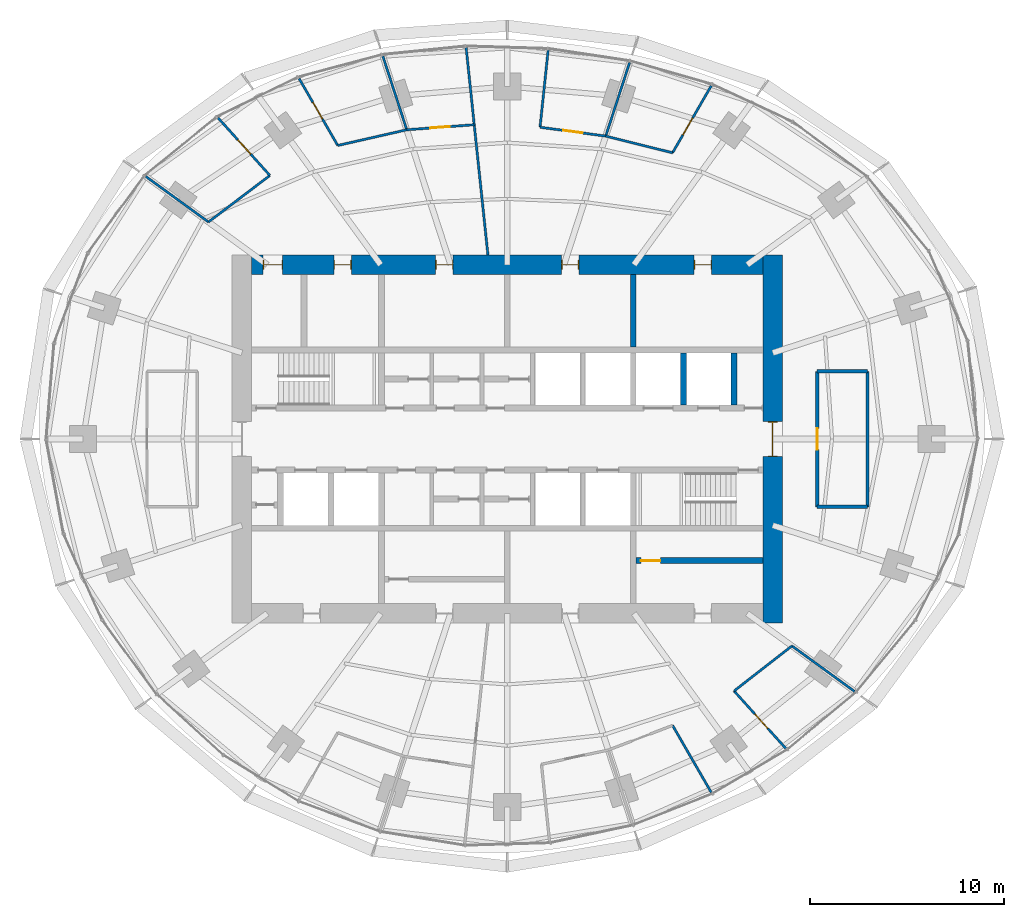
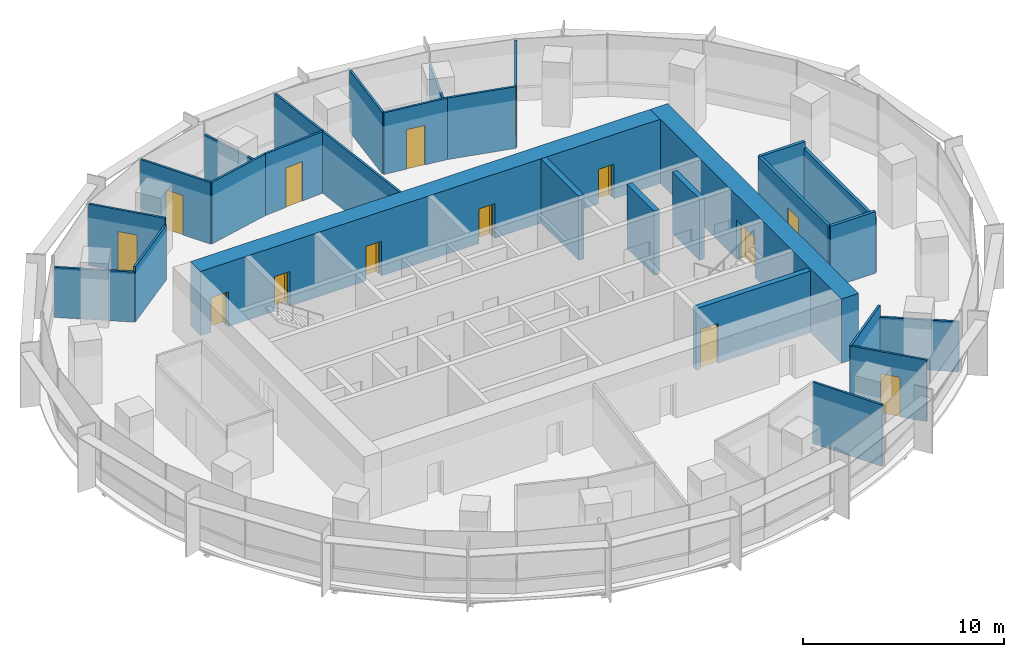
# One storey, part 12 of 15: 27 walls, 14 doors, 14 openings.
"""IFC4 building model written with IfcOpenShell, lengths in metres."""

from ifc_helpers import new_model, si_unit, direction, frame, frame_2d, origin, place, context, subcontext, project, spatial, rectangle, extrude, material, layer, layer_set, type_object, element, fill, save


model = new_model("IFC4")

# Units and contexts
model_context = context("Model", 3, precision=1e-05, world=origin(), true_north=direction((0.0, 1.0)))
body_context = subcontext(model_context, "Body", "Model", "MODEL_VIEW")
ifc_project = project(units=[si_unit("LENGTHUNIT", "METRE"), si_unit("AREAUNIT", "SQUARE_METRE"), si_unit("VOLUMEUNIT", "CUBIC_METRE"), si_unit("PLANEANGLEUNIT", "RADIAN"), si_unit("MASSUNIT", "GRAM", prefix="KILO")], contexts=[model_context])

# Site, building, storey
site_placement = place(None, origin())
site = spatial("IfcSite", under=ifc_project, at=site_placement, CompositionType="ELEMENT")
building_placement = place(site_placement, origin())
building = spatial("IfcBuilding", under=site, at=building_placement, Name="Marramba Exchange Tower", CompositionType="ELEMENT")
storey_placement = place(building_placement, frame((0.0, 0.0, 187.699951171875)))
storey = spatial("IfcBuildingStorey", under=building, at=storey_placement, Name="L45", CompositionType="ELEMENT", Elevation=187.699951171875)

# Wall
ifc_material_1 = material(Name="Plasterboard on staggered double steel studs, acoustic insulation", Category="steel")
ifc_layer_1 = layer(ifc_material_1, 0.169921875)
ifc_layer_set_1 = layer_set([ifc_layer_1], Name="Acoustic partition 170")
wall_type_1 = type_object("IfcWallType", Name="Acoustic partition 170", PredefinedType="PARTITIONING", material=ifc_layer_set_1)
wall_1_placement = place(storey_placement, frame((18.60009765625, -3.5, 0.0), z_axis=(0.0, 0.0, 1.0), x_axis=(-1.0, 0.0, 0.0)))
element("IfcWall", 1, at=wall_1_placement, inside=storey, type_object=wall_type_1, Name="Acoustic partition L45 15", PredefinedType="PARTITIONING", context=body_context, shape_type="SweptSolid", body=[
    extrude(rectangle(XDim=2.60009765625, YDim=0.169921875, at=frame_2d((1.300048828125, 0.0))), origin(), (0.0, 0.0, 1.0), 3.739990234375),
])

# Wall, opening, door
wall_2_placement = place(storey_placement, frame((16.0, -3.5, 0.0), z_axis=(0.0, 0.0, 1.0), x_axis=(0.0, 1.0, 0.0)))
wall_2 = element("IfcWall", 2, at=wall_2_placement, inside=storey, type_object=wall_type_1, Name="Acoustic partition L45 16", PredefinedType="PARTITIONING", context=body_context, shape_type="SweptSolid", body=[
    extrude(rectangle(XDim=7.0, YDim=0.169921875, at=frame_2d((3.5, 0.0))), origin(), (0.0, 0.0, 1.0), 3.739990234375),
])
opening_1_placement = place(wall_2_placement, frame((2.949951171875, 0.0, 0.0)))
opening_1 = element("IfcOpeningElement", 3, at=opening_1_placement, cuts=wall_2, Name="Opening D15", PredefinedType="OPENING", context=body_context, shape_type="SweptSolid", body=[
    extrude(rectangle(XDim=1.10009765625, YDim=2.39990234375, at=frame_2d((0.550048828125, 1.199951171875))), frame((0.0, 0.094970703125, 0.0), z_axis=(0.0, -1.0, 0.0), x_axis=(1.0, 0.0, 0.0)), (0.0, 0.0, 1.0), 0.18994140625),
])
ifc_material_2 = material(Name="Timber door", Category="wood")
door_type_1 = type_object("IfcDoorType", Name="Glazed meeting room door 1100x2400", OperationType="SINGLE_SWING_LEFT", PredefinedType="DOOR", material=ifc_material_2)
door_1_placement = place(opening_1_placement, frame((1.10009765625, 0.0, 0.0), z_axis=(0.0, 0.0, 1.0), x_axis=(-1.0, 0.0, 0.0)))
door_1 = element("IfcDoor", 4, at=door_1_placement, inside=storey, type_object=door_type_1, Name="D15 Meeting Room L45", OperationType="SINGLE_SWING_RIGHT", OverallHeight=2.39990234375, OverallWidth=1.10009765625, PredefinedType="DOOR", context=body_context, shape_type="SweptSolid", body=[
    extrude(rectangle(XDim=1.10009765625, YDim=2.39990234375, at=frame_2d((0.550048828125, 1.199951171875))), frame((0.0, 0.025146484375, 0.0), z_axis=(0.0, -1.0, 0.0), x_axis=(1.0, 0.0, 0.0)), (0.0, 0.0, 1.0), 0.050048828125),
])
fill(opening_1, door_1)

# Walls
wall_3_placement = place(storey_placement, frame((18.60009765625, 3.5, 0.0), z_axis=(0.0, 0.0, 1.0), x_axis=(0.0, -1.0, 0.0)))
element("IfcWall", 5, at=wall_3_placement, inside=storey, type_object=wall_type_1, Name="Acoustic partition L45 17", PredefinedType="PARTITIONING", context=body_context, shape_type="SweptSolid", body=[
    extrude(rectangle(XDim=7.0, YDim=0.169921875, at=frame_2d((3.5, 0.0))), origin(), (0.0, 0.0, 1.0), 3.333984375),
])
wall_4_placement = place(storey_placement, frame((16.0, 3.5, 0.0), z_axis=(0.0, 0.0, 1.0), x_axis=(1.0, 0.0, 0.0)))
element("IfcWall", 6, at=wall_4_placement, inside=storey, type_object=wall_type_1, Name="Acoustic partition L45 18", PredefinedType="PARTITIONING", context=body_context, shape_type="SweptSolid", body=[
    extrude(rectangle(XDim=2.60009765625, YDim=0.169921875, at=frame_2d((1.300048828125, 0.0))), origin(), (0.0, 0.0, 1.0), 3.739990234375),
])

# Wall, openings, doors
ifc_material_3 = material(Name="Concrete N50", Category="concrete")
ifc_layer_2 = layer(ifc_material_3, 1.0)
ifc_layer_set_2 = layer_set([ifc_layer_2], Name="Core wall 1000")
wall_type_2 = type_object("IfcWallType", Name="Core wall 1000", PredefinedType="SHEAR", material=ifc_layer_set_2)
wall_5_placement = place(storey_placement, frame((13.199951171875, 9.0, 0.0), z_axis=(0.0, 0.0, 1.0), x_axis=(-1.0, 0.0, 0.0)))
wall_5 = element("IfcWall", 7, at=wall_5_placement, inside=storey, type_object=wall_type_2, Name="Core wall N L45", PredefinedType="SHEAR", context=body_context, shape_type="SweptSolid", body=[
    extrude(rectangle(XDim=26.39990234375, YDim=1.0, at=frame_2d((13.199951171875, 0.0))), origin(), (0.0, 0.0, 1.0), 3.900146484375),
])
opening_2_placement = place(wall_5_placement, frame((2.64990234375, 0.0, 0.0)))
opening_2 = element("IfcOpeningElement", 8, at=opening_2_placement, cuts=wall_5, Name="Opening D5", PredefinedType="OPENING", context=body_context, shape_type="SweptSolid", body=[
    extrude(rectangle(XDim=0.89990234375, YDim=2.10009765625, at=frame_2d((0.449951171875, 1.050048828125))), frame((0.0, 0.510009765625, 0.0), z_axis=(0.0, -1.0, 0.0), x_axis=(1.0, 0.0, 0.0)), (0.0, 0.0, 1.0), 1.02001953125),
])
opening_3_placement = place(wall_5_placement, frame((9.5, 0.0, 0.0)))
opening_3 = element("IfcOpeningElement", 9, at=opening_3_placement, cuts=wall_5, Name="Opening D3", PredefinedType="OPENING", context=body_context, shape_type="SweptSolid", body=[
    extrude(rectangle(XDim=0.89990234375, YDim=2.10009765625, at=frame_2d((0.449951171875, 1.050048828125))), frame((0.0, 0.510009765625, 0.0), z_axis=(0.0, -1.0, 0.0), x_axis=(1.0, 0.0, 0.0)), (0.0, 0.0, 1.0), 1.02001953125),
])
opening_4_placement = place(wall_5_placement, frame((16.0, 0.0, 0.0)))
opening_4 = element("IfcOpeningElement", 10, at=opening_4_placement, cuts=wall_5, Name="Opening D3", PredefinedType="OPENING", context=body_context, shape_type="SweptSolid", body=[
    extrude(rectangle(XDim=0.89990234375, YDim=2.10009765625, at=frame_2d((0.449951171875, 1.050048828125))), frame((0.0, 0.510009765625, 0.0), z_axis=(0.0, -1.0, 0.0), x_axis=(1.0, 0.0, 0.0)), (0.0, 0.0, 1.0), 1.02001953125),
])
opening_5_placement = place(wall_5_placement, frame((21.25, 0.0, 0.0)))
opening_5 = element("IfcOpeningElement", 11, at=opening_5_placement, cuts=wall_5, Name="Opening D5", PredefinedType="OPENING", context=body_context, shape_type="SweptSolid", body=[
    extrude(rectangle(XDim=0.89990234375, YDim=2.10009765625, at=frame_2d((0.449951171875, 1.050048828125))), frame((0.0, 0.510009765625, 0.0), z_axis=(0.0, -1.0, 0.0), x_axis=(1.0, 0.0, 0.0)), (0.0, 0.0, 1.0), 1.02001953125),
])
opening_6_placement = place(wall_5_placement, frame((24.800048828125, 0.0, 0.0)))
opening_6 = element("IfcOpeningElement", 12, at=opening_6_placement, cuts=wall_5, Name="Opening D4", PredefinedType="OPENING", context=body_context, shape_type="SweptSolid", body=[
    extrude(rectangle(XDim=1.0, YDim=2.10009765625, at=frame_2d((0.5, 1.050048828125))), frame((0.0, 0.510009765625, 0.0), z_axis=(0.0, -1.0, 0.0), x_axis=(1.0, 0.0, 0.0)), (0.0, 0.0, 1.0), 1.02001953125),
])
ifc_material_4 = material(Name="Steel-framed door", Category="steel")
door_type_2 = type_object("IfcDoorType", Name="Accessible toilet door 1000x2100", OperationType="SINGLE_SWING_LEFT", PredefinedType="DOOR", material=ifc_material_4)
door_2_placement = place(opening_6_placement, origin())
door_2 = element("IfcDoor", 13, at=door_2_placement, inside=storey, type_object=door_type_2, Name="D4 awc L45", OperationType="SINGLE_SWING_RIGHT", OverallHeight=2.10009765625, OverallWidth=1.0, PredefinedType="DOOR", context=body_context, shape_type="SweptSolid", body=[
    extrude(rectangle(XDim=0.919921875, YDim=2.06005859375, at=frame_2d((0.5, 1.030029296875))), frame((0.0, 0.02490234375, 0.0), z_axis=(0.0, -1.0, 0.0), x_axis=(1.0, 0.0, 0.0)), (0.0, 0.0, 1.0), 0.050048828125),
    extrude(rectangle(XDim=0.04, YDim=2.10009765625, at=frame_2d((0.02001953125, 1.050048828125))), frame((0.0, 0.25, 0.0), z_axis=(0.0, -1.0, 0.0), x_axis=(1.0, 0.0, 0.0)), (0.0, 0.0, 1.0), 0.5),
    extrude(rectangle(XDim=0.04, YDim=2.10009765625, at=frame_2d((0.97998046875, 1.050048828125))), frame((0.0, 0.25, 0.0), z_axis=(0.0, -1.0, 0.0), x_axis=(1.0, 0.0, 0.0)), (0.0, 0.0, 1.0), 0.5),
    extrude(rectangle(XDim=0.919921875, YDim=0.04, at=frame_2d((0.5, 2.080078125))), frame((0.0, 0.25, 0.0), z_axis=(0.0, -1.0, 0.0), x_axis=(1.0, 0.0, 0.0)), (0.0, 0.0, 1.0), 0.5),
])
fill(opening_6, door_2)
door_type_3 = type_object("IfcDoorType", Name="Service door 900x2100", OperationType="SINGLE_SWING_LEFT", PredefinedType="DOOR", material=ifc_material_4)
door_3_placement = place(opening_2_placement, origin())
door_3 = element("IfcDoor", 14, at=door_3_placement, inside=storey, type_object=door_type_3, Name="D5 comms L45", OperationType="SINGLE_SWING_LEFT", OverallHeight=2.10009765625, OverallWidth=0.89990234375, PredefinedType="DOOR", context=body_context, shape_type="SweptSolid", body=[
    extrude(rectangle(XDim=0.81982421875, YDim=2.06005859375, at=frame_2d((0.449951171875, 1.030029296875))), frame((0.0, 0.02490234375, 0.0), z_axis=(0.0, -1.0, 0.0), x_axis=(1.0, 0.0, 0.0)), (0.0, 0.0, 1.0), 0.050048828125),
    extrude(rectangle(XDim=0.04, YDim=2.10009765625, at=frame_2d((0.02001953125, 1.050048828125))), frame((0.0, 0.25, 0.0), z_axis=(0.0, -1.0, 0.0), x_axis=(1.0, 0.0, 0.0)), (0.0, 0.0, 1.0), 0.5),
    extrude(rectangle(XDim=0.04, YDim=2.10009765625, at=frame_2d((0.8798828125, 1.050048828125))), frame((0.0, 0.25, 0.0), z_axis=(0.0, -1.0, 0.0), x_axis=(1.0, 0.0, 0.0)), (0.0, 0.0, 1.0), 0.5),
    extrude(rectangle(XDim=0.81982421875, YDim=0.04, at=frame_2d((0.449951171875, 2.080078125))), frame((0.0, 0.25, 0.0), z_axis=(0.0, -1.0, 0.0), x_axis=(1.0, 0.0, 0.0)), (0.0, 0.0, 1.0), 0.5),
])
fill(opening_2, door_3)
door_4_placement = place(opening_5_placement, origin())
door_4 = element("IfcDoor", 15, at=door_4_placement, inside=storey, type_object=door_type_3, Name="D5 cleaner L45", OperationType="SINGLE_SWING_RIGHT", OverallHeight=2.10009765625, OverallWidth=0.89990234375, PredefinedType="DOOR", context=body_context, shape_type="SweptSolid", body=[
    extrude(rectangle(XDim=0.81982421875, YDim=2.06005859375, at=frame_2d((0.449951171875, 1.030029296875))), frame((0.0, 0.02490234375, 0.0), z_axis=(0.0, -1.0, 0.0), x_axis=(1.0, 0.0, 0.0)), (0.0, 0.0, 1.0), 0.050048828125),
    extrude(rectangle(XDim=0.04, YDim=2.10009765625, at=frame_2d((0.02001953125, 1.050048828125))), frame((0.0, 0.25, 0.0), z_axis=(0.0, -1.0, 0.0), x_axis=(1.0, 0.0, 0.0)), (0.0, 0.0, 1.0), 0.5),
    extrude(rectangle(XDim=0.04, YDim=2.10009765625, at=frame_2d((0.8798828125, 1.050048828125))), frame((0.0, 0.25, 0.0), z_axis=(0.0, -1.0, 0.0), x_axis=(1.0, 0.0, 0.0)), (0.0, 0.0, 1.0), 0.5),
    extrude(rectangle(XDim=0.81982421875, YDim=0.04, at=frame_2d((0.449951171875, 2.080078125))), frame((0.0, 0.25, 0.0), z_axis=(0.0, -1.0, 0.0), x_axis=(1.0, 0.0, 0.0)), (0.0, 0.0, 1.0), 0.5),
])
fill(opening_5, door_4)
door_type_4 = type_object("IfcDoorType", Name="Toilet door 900x2100", OperationType="SINGLE_SWING_LEFT", PredefinedType="DOOR", material=ifc_material_4)
door_5_placement = place(opening_3_placement, origin())
door_5 = element("IfcDoor", 16, at=door_5_placement, inside=storey, type_object=door_type_4, Name="D3 wc-f L45", OperationType="SINGLE_SWING_RIGHT", OverallHeight=2.10009765625, OverallWidth=0.89990234375, PredefinedType="DOOR", context=body_context, shape_type="SweptSolid", body=[
    extrude(rectangle(XDim=0.81982421875, YDim=2.06005859375, at=frame_2d((0.449951171875, 1.030029296875))), frame((0.0, 0.02490234375, 0.0), z_axis=(0.0, -1.0, 0.0), x_axis=(1.0, 0.0, 0.0)), (0.0, 0.0, 1.0), 0.050048828125),
    extrude(rectangle(XDim=0.04, YDim=2.10009765625, at=frame_2d((0.02001953125, 1.050048828125))), frame((0.0, 0.25, 0.0), z_axis=(0.0, -1.0, 0.0), x_axis=(1.0, 0.0, 0.0)), (0.0, 0.0, 1.0), 0.5),
    extrude(rectangle(XDim=0.04, YDim=2.10009765625, at=frame_2d((0.8798828125, 1.050048828125))), frame((0.0, 0.25, 0.0), z_axis=(0.0, -1.0, 0.0), x_axis=(1.0, 0.0, 0.0)), (0.0, 0.0, 1.0), 0.5),
    extrude(rectangle(XDim=0.81982421875, YDim=0.04, at=frame_2d((0.449951171875, 2.080078125))), frame((0.0, 0.25, 0.0), z_axis=(0.0, -1.0, 0.0), x_axis=(1.0, 0.0, 0.0)), (0.0, 0.0, 1.0), 0.5),
])
fill(opening_3, door_5)
door_6_placement = place(opening_4_placement, origin())
door_6 = element("IfcDoor", 17, at=door_6_placement, inside=storey, type_object=door_type_4, Name="D3 wc-m L45", OperationType="SINGLE_SWING_RIGHT", OverallHeight=2.10009765625, OverallWidth=0.89990234375, PredefinedType="DOOR", context=body_context, shape_type="SweptSolid", body=[
    extrude(rectangle(XDim=0.81982421875, YDim=2.06005859375, at=frame_2d((0.449951171875, 1.030029296875))), frame((0.0, 0.02490234375, 0.0), z_axis=(0.0, -1.0, 0.0), x_axis=(1.0, 0.0, 0.0)), (0.0, 0.0, 1.0), 0.050048828125),
    extrude(rectangle(XDim=0.04, YDim=2.10009765625, at=frame_2d((0.02001953125, 1.050048828125))), frame((0.0, 0.25, 0.0), z_axis=(0.0, -1.0, 0.0), x_axis=(1.0, 0.0, 0.0)), (0.0, 0.0, 1.0), 0.5),
    extrude(rectangle(XDim=0.04, YDim=2.10009765625, at=frame_2d((0.8798828125, 1.050048828125))), frame((0.0, 0.25, 0.0), z_axis=(0.0, -1.0, 0.0), x_axis=(1.0, 0.0, 0.0)), (0.0, 0.0, 1.0), 0.5),
    extrude(rectangle(XDim=0.81982421875, YDim=0.04, at=frame_2d((0.449951171875, 2.080078125))), frame((0.0, 0.25, 0.0), z_axis=(0.0, -1.0, 0.0), x_axis=(1.0, 0.0, 0.0)), (0.0, 0.0, 1.0), 0.5),
])
fill(opening_4, door_6)

# Wall, opening, door
wall_6_placement = place(storey_placement, frame((13.699951171875, -9.5, 0.0), z_axis=(0.0, 0.0, 1.0), x_axis=(0.0, 1.0, 0.0)))
wall_6 = element("IfcWall", 18, at=wall_6_placement, inside=storey, type_object=wall_type_2, Name="Core wall E L45", PredefinedType="SHEAR", context=body_context, shape_type="SweptSolid", body=[
    extrude(rectangle(XDim=19.0, YDim=1.0, at=frame_2d((9.5, 0.0))), origin(), (0.0, 0.0, 1.0), 3.900146484375),
])
opening_7_placement = place(wall_6_placement, frame((8.60009765625, 0.0, 0.0)))
opening_7 = element("IfcOpeningElement", 19, at=opening_7_placement, cuts=wall_6, Name="Opening D1", PredefinedType="OPENING", context=body_context, shape_type="SweptSolid", body=[
    extrude(rectangle(XDim=1.800048828125, YDim=2.39990234375, at=frame_2d((0.89990234375, 1.199951171875))), frame((0.0, 0.510009765625, 0.0), z_axis=(0.0, -1.0, 0.0), x_axis=(1.0, 0.0, 0.0)), (0.0, 0.0, 1.0), 1.02001953125),
])
door_type_5 = type_object("IfcDoorType", Name="Lobby exit door 1800x2400", OperationType="DOUBLE_DOOR_SINGLE_SWING", PredefinedType="DOOR", material=ifc_material_4)
door_7_placement = place(opening_7_placement, origin())
door_7 = element("IfcDoor", 20, at=door_7_placement, inside=storey, type_object=door_type_5, Name="D1 lobby exit east L45", OperationType="DOUBLE_DOOR_SINGLE_SWING", OverallHeight=2.39990234375, OverallWidth=1.800048828125, PredefinedType="DOOR", context=body_context, shape_type="SweptSolid", body=[
    extrude(rectangle(XDim=1.719970703125, YDim=2.35986328125, at=frame_2d((0.89990234375, 1.179931640625))), frame((0.0, 0.02490234375, 0.0), z_axis=(0.0, -1.0, 0.0), x_axis=(1.0, 0.0, 0.0)), (0.0, 0.0, 1.0), 0.050048828125),
    extrude(rectangle(XDim=0.04, YDim=2.39990234375, at=frame_2d((0.02001953125, 1.199951171875))), frame((0.0, 0.25, 0.0), z_axis=(0.0, -1.0, 0.0), x_axis=(1.0, 0.0, 0.0)), (0.0, 0.0, 1.0), 0.5),
    extrude(rectangle(XDim=0.04, YDim=2.39990234375, at=frame_2d((1.780029296875, 1.199951171875))), frame((0.0, 0.25, 0.0), z_axis=(0.0, -1.0, 0.0), x_axis=(1.0, 0.0, 0.0)), (0.0, 0.0, 1.0), 0.5),
    extrude(rectangle(XDim=1.719970703125, YDim=0.04, at=frame_2d((0.89990234375, 2.3798828125))), frame((0.0, 0.25, 0.0), z_axis=(0.0, -1.0, 0.0), x_axis=(1.0, 0.0, 0.0)), (0.0, 0.0, 1.0), 0.5),
])
fill(opening_7, door_7)

# Walls
ifc_layer_3 = layer(ifc_material_3, 0.300048828125)
ifc_layer_set_3 = layer_set([ifc_layer_3], Name="Core wall 300")
wall_type_3 = type_object("IfcWallType", Name="Core wall 300", PredefinedType="SHEAR", material=ifc_layer_set_3)
wall_7_placement = place(storey_placement, frame((6.5, 4.75, 0.0), z_axis=(0.0, 0.0, 1.0), x_axis=(0.0, 1.0, 0.0)))
element("IfcWall", 21, at=wall_7_placement, inside=storey, type_object=wall_type_3, Name="Core wall X1Nb L45", PredefinedType="SHEAR", context=body_context, shape_type="SweptSolid", body=[
    extrude(rectangle(XDim=3.75, YDim=0.300048828125, at=frame_2d((1.875, 0.0))), origin(), (0.0, 0.0, 1.0), 3.900146484375),
])
wall_8_placement = place(storey_placement, frame((9.10009765625, 1.75, 0.0), z_axis=(0.0, 0.0, 1.0), x_axis=(0.0, 1.0, 0.0)))
element("IfcWall", 22, at=wall_8_placement, inside=storey, type_object=wall_type_3, Name="Core wall ED L45", PredefinedType="SHEAR", context=body_context, shape_type="SweptSolid", body=[
    extrude(rectangle(XDim=2.699951171875, YDim=0.300048828125, at=frame_2d((1.35009765625, 0.0))), origin(), (0.0, 0.0, 1.0), 3.900146484375),
])
ifc_material_5 = material(Name="Core-filled concrete blockwork", Category="masonry")
ifc_layer_4 = layer(ifc_material_5, 0.300048828125)
ifc_layer_set_4 = layer_set([ifc_layer_4], Name="Lift shaft wall 300")
wall_type_4 = type_object("IfcWallType", Name="Lift shaft wall 300", PredefinedType="SOLIDWALL", material=ifc_layer_set_4)
wall_9_placement = place(storey_placement, frame((11.699951171875, 1.75, 0.0), z_axis=(0.0, 0.0, 1.0), x_axis=(0.0, 1.0, 0.0)))
element("IfcWall", 23, at=wall_9_placement, inside=storey, type_object=wall_type_4, Name="Lift shaft wall E1 L45", PredefinedType="SOLIDWALL", context=body_context, shape_type="SweptSolid", body=[
    extrude(rectangle(XDim=2.699951171875, YDim=0.300048828125, at=frame_2d((1.35009765625, 0.0))), origin(), (0.0, 0.0, 1.0), 3.739990234375),
])
ifc_material_6 = material(Name="Plasterboard on steel studs", Category="steel")
ifc_layer_5 = layer(ifc_material_6, 0.1201171875)
ifc_layer_set_5 = layer_set([ifc_layer_5], Name="Partition 120")
wall_type_5 = type_object("IfcWallType", Name="Partition 120", PredefinedType="PARTITIONING", material=ifc_layer_set_5)
wall_10_placement = place(storey_placement, frame((10.5341796875, -18.245849609375, 0.0), z_axis=(0.0, 0.0, 1.0), x_axis=(-0.49999894854, 0.866026010844, 0.0)))
element("IfcWall", 24, at=wall_10_placement, inside=storey, type_object=wall_type_5, Name="Partition L45 11", PredefinedType="PARTITIONING", context=body_context, shape_type="SweptSolid", body=[
    extrude(rectangle(XDim=4.0, YDim=0.1201171875, at=frame_2d((2.0, 0.0))), origin(), (0.0, 0.0, 1.0), 3.739990234375),
])

# Wall, opening, door
wall_11_placement = place(storey_placement, frame((11.708740234375, -13.00390625, 0.0), z_axis=(0.0, 0.0, 1.0), x_axis=(0.669150182773, -0.743127198328, 0.0)))
wall_11 = element("IfcWall", 25, at=wall_11_placement, inside=storey, type_object=wall_type_5, Name="Partition L45 12", PredefinedType="PARTITIONING", context=body_context, shape_type="SweptSolid", body=[
    extrude(rectangle(XDim=3.999755859375, YDim=0.1201171875, at=frame_2d((2.0, 0.0))), origin(), (0.0, 0.0, 1.0), 3.739990234375),
])
opening_8_placement = place(wall_11_placement, frame((1.60009765625, 0.0, 0.0)))
opening_8 = element("IfcOpeningElement", 26, at=opening_8_placement, cuts=wall_11, Name="Opening D9", PredefinedType="OPENING", context=body_context, shape_type="SweptSolid", body=[
    extrude(rectangle(XDim=1.0, YDim=2.39990234375, at=frame_2d((0.5, 1.199951171875))), frame((0.0, 0.070068359375, 0.0), z_axis=(0.0, -1.0, 0.0), x_axis=(1.0, 0.0, 0.0)), (0.0, 0.0, 1.0), 0.14013671875),
])
door_type_6 = type_object("IfcDoorType", Name="Room door 1000x2400", OperationType="SINGLE_SWING_LEFT", PredefinedType="DOOR", material=ifc_material_2)
door_8_placement = place(opening_8_placement, origin())
door_8 = element("IfcDoor", 27, at=door_8_placement, inside=storey, type_object=door_type_6, Name="D9 Office 10 L45", OperationType="SINGLE_SWING_RIGHT", OverallHeight=2.39990234375, OverallWidth=1.0, PredefinedType="DOOR", context=body_context, shape_type="SweptSolid", body=[
    extrude(rectangle(XDim=1.0, YDim=2.39990234375, at=frame_2d((0.5, 1.199951171875))), frame((0.0, 0.02490234375, 0.0), z_axis=(0.0, -1.0, 0.0), x_axis=(1.0, 0.0, 0.0)), (0.0, 0.0, 1.0), 0.050048828125),
])
fill(opening_8, door_8)

# Walls
wall_12_placement = place(storey_placement, frame((14.696044921875, -10.677490234375, 0.0), z_axis=(0.0, 0.0, 1.0), x_axis=(-0.788973621164, -0.614427070617, 0.0)))
element("IfcWall", 28, at=wall_12_placement, inside=storey, type_object=wall_type_5, Name="Partition L45 13", PredefinedType="PARTITIONING", context=body_context, shape_type="SweptSolid", body=[
    extrude(rectangle(XDim=3.786376953125, YDim=0.1201171875, at=frame_2d((1.89306640625, 0.0))), origin(), (0.0, 0.0, 1.0), 3.739990234375),
])
wall_13_placement = place(storey_placement, frame((17.93212890625, -13.028564453125, 0.0), z_axis=(0.0, 0.0, 1.0), x_axis=(-0.809026317077, 0.587772420479, 0.0)))
element("IfcWall", 29, at=wall_13_placement, inside=storey, type_object=wall_type_5, Name="Partition L45 14", PredefinedType="PARTITIONING", context=body_context, shape_type="SweptSolid", body=[
    extrude(rectangle(XDim=4.0, YDim=0.1201171875, at=frame_2d((2.0, 0.0))), origin(), (0.0, 0.0, 1.0), 3.0400390625),
])

# Wall, opening, door
wall_14_placement = place(storey_placement, frame((8.5341796875, 14.78173828125, 0.0), z_axis=(0.0, 0.0, 1.0), x_axis=(0.49999894854, 0.866026010844, 0.0)))
wall_14 = element("IfcWall", 30, at=wall_14_placement, inside=storey, type_object=wall_type_5, Name="Partition L45 19", PredefinedType="PARTITIONING", context=body_context, shape_type="SweptSolid", body=[
    extrude(rectangle(XDim=4.0, YDim=0.1201171875, at=frame_2d((2.0, 0.0))), origin(), (0.0, 0.0, 1.0), 3.739990234375),
])
opening_9_placement = place(wall_14_placement, frame((1.06591796875, 0.0, 0.0)))
opening_9 = element("IfcOpeningElement", 31, at=opening_9_placement, cuts=wall_14, Name="Opening D9", PredefinedType="OPENING", context=body_context, shape_type="SweptSolid", body=[
    extrude(rectangle(XDim=1.0, YDim=2.39990234375, at=frame_2d((0.5, 1.199951171875))), frame((0.0, 0.070068359375, 0.0), z_axis=(0.0, -1.0, 0.0), x_axis=(1.0, 0.0, 0.0)), (0.0, 0.0, 1.0), 0.14013671875),
])
door_9_placement = place(opening_9_placement, origin())
door_9 = element("IfcDoor", 32, at=door_9_placement, inside=storey, type_object=door_type_6, Name="D9 Office 1 L45", OperationType="SINGLE_SWING_LEFT", OverallHeight=2.39990234375, OverallWidth=1.0, PredefinedType="DOOR", context=body_context, shape_type="SweptSolid", body=[
    extrude(rectangle(XDim=1.0, YDim=2.39990234375, at=frame_2d((0.5, 1.199951171875))), frame((0.0, 0.02490234375, 0.0), z_axis=(0.0, -1.0, 0.0), x_axis=(1.0, 0.0, 0.0)), (0.0, 0.0, 1.0), 0.050048828125),
])
fill(opening_9, door_9)

# Walls
wall_15_placement = place(storey_placement, frame((5.082275390625, 15.641357421875, 0.0), z_axis=(0.0, 0.0, 1.0), x_axis=(0.970364132875, -0.241647366281, 0.0)))
element("IfcWall", 33, at=wall_15_placement, inside=storey, type_object=wall_type_5, Name="Partition L45 20", PredefinedType="PARTITIONING", context=body_context, shape_type="SweptSolid", body=[
    extrude(rectangle(XDim=3.557373046875, YDim=0.1201171875, at=frame_2d((1.77880859375, 0.0))), origin(), (0.0, 0.0, 1.0), 3.739990234375),
])
wall_16_placement = place(storey_placement, frame((5.082275390625, 15.641357421875, 0.0), z_axis=(0.0, 0.0, 1.0), x_axis=(0.309022586479, 0.951054699292, 0.0)))
element("IfcWall", 34, at=wall_16_placement, inside=storey, type_object=wall_type_5, Name="Partition L45 21", PredefinedType="PARTITIONING", context=body_context, shape_type="SweptSolid", body=[
    extrude(rectangle(XDim=4.0, YDim=0.1201171875, at=frame_2d((2.0, 0.0))), origin(), (0.0, 0.0, 1.0), 3.0400390625),
])

# Wall, opening, door
wall_17_placement = place(storey_placement, frame((1.692138671875, 16.099609375, 0.0), z_axis=(0.0, 0.0, 1.0), x_axis=(0.990987566224, -0.133953886058, 0.0)))
wall_17 = element("IfcWall", 35, at=wall_17_placement, inside=storey, type_object=wall_type_5, Name="Partition L45 22", PredefinedType="PARTITIONING", context=body_context, shape_type="SweptSolid", body=[
    extrude(rectangle(XDim=3.4208984375, YDim=0.1201171875, at=frame_2d((1.71044921875, 0.0))), origin(), (0.0, 0.0, 1.0), 3.739990234375),
])
opening_10_placement = place(wall_17_placement, frame((1.2099609375, 0.0, 0.0)))
opening_10 = element("IfcOpeningElement", 36, at=opening_10_placement, cuts=wall_17, Name="Opening D9", PredefinedType="OPENING", context=body_context, shape_type="SweptSolid", body=[
    extrude(rectangle(XDim=1.0, YDim=2.39990234375, at=frame_2d((0.5, 1.199951171875))), frame((0.0, 0.070068359375, 0.0), z_axis=(0.0, -1.0, 0.0), x_axis=(1.0, 0.0, 0.0)), (0.0, 0.0, 1.0), 0.14013671875),
])
door_10_placement = place(opening_10_placement, origin())
door_10 = element("IfcDoor", 37, at=door_10_placement, inside=storey, type_object=door_type_6, Name="D9 Office 2 L45", OperationType="SINGLE_SWING_LEFT", OverallHeight=2.39990234375, OverallWidth=1.0, PredefinedType="DOOR", context=body_context, shape_type="SweptSolid", body=[
    extrude(rectangle(XDim=1.0, YDim=2.39990234375, at=frame_2d((0.5, 1.199951171875))), frame((0.0, 0.02490234375, 0.0), z_axis=(0.0, -1.0, 0.0), x_axis=(1.0, 0.0, 0.0)), (0.0, 0.0, 1.0), 0.050048828125),
])
fill(opening_10, door_10)

# Walls
wall_18_placement = place(storey_placement, frame((2.1103515625, 20.077880859375, 0.0), z_axis=(0.0, 0.0, 1.0), x_axis=(-0.104548171712, -0.99451982373, 0.0)))
element("IfcWall", 38, at=wall_18_placement, inside=storey, type_object=wall_type_5, Name="Partition L45 23", PredefinedType="PARTITIONING", context=body_context, shape_type="SweptSolid", body=[
    extrude(rectangle(XDim=4.000244140625, YDim=0.1201171875, at=frame_2d((2.0, 0.0))), origin(), (0.0, 0.0, 1.0), 3.739990234375),
])
wall_19_placement = place(storey_placement, frame((-0.99853515625, 9.5, 0.0), z_axis=(0.0, 0.0, 1.0), x_axis=(-0.10451834001, 0.994522959313, 0.0)))
element("IfcWall", 39, at=wall_19_placement, inside=storey, type_object=wall_type_5, Name="Partition L45 24", PredefinedType="PARTITIONING", context=body_context, shape_type="SweptSolid", body=[
    extrude(rectangle(XDim=10.76611328125, YDim=0.1201171875, at=frame_2d((5.383056640625, 0.0))), origin(), (0.0, 0.0, 1.0), 3.739990234375),
])

# Wall, opening, door
wall_20_placement = place(storey_placement, frame((-5.1884765625, 15.96875, 0.0), z_axis=(0.0, 0.0, 1.0), x_axis=(0.997219476507, 0.074520572167, 0.0)))
wall_20 = element("IfcWall", 40, at=wall_20_placement, inside=storey, type_object=wall_type_5, Name="Partition L45 25", PredefinedType="PARTITIONING", context=body_context, shape_type="SweptSolid", body=[
    extrude(rectangle(XDim=3.492431640625, YDim=0.1201171875, at=frame_2d((1.74609375, 0.0))), origin(), (0.0, 0.0, 1.0), 3.739990234375),
])
opening_11_placement = place(wall_20_placement, frame((1.220947265625, 0.0, 0.0)))
opening_11 = element("IfcOpeningElement", 41, at=opening_11_placement, cuts=wall_20, Name="Opening D9", PredefinedType="OPENING", context=body_context, shape_type="SweptSolid", body=[
    extrude(rectangle(XDim=1.0, YDim=2.39990234375, at=frame_2d((0.5, 1.199951171875))), frame((0.0, 0.070068359375, 0.0), z_axis=(0.0, -1.0, 0.0), x_axis=(1.0, 0.0, 0.0)), (0.0, 0.0, 1.0), 0.14013671875),
])
door_11_placement = place(opening_11_placement, origin())
door_11 = element("IfcDoor", 42, at=door_11_placement, inside=storey, type_object=door_type_6, Name="D9 Office 3 L45", OperationType="SINGLE_SWING_RIGHT", OverallHeight=2.39990234375, OverallWidth=1.0, PredefinedType="DOOR", context=body_context, shape_type="SweptSolid", body=[
    extrude(rectangle(XDim=1.0, YDim=2.39990234375, at=frame_2d((0.5, 1.199951171875))), frame((0.0, 0.02490234375, 0.0), z_axis=(0.0, -1.0, 0.0), x_axis=(1.0, 0.0, 0.0)), (0.0, 0.0, 1.0), 0.050048828125),
])
fill(opening_11, door_11)

# Walls
wall_21_placement = place(storey_placement, frame((-5.1884765625, 15.96875, 0.0), z_axis=(0.0, 0.0, 1.0), x_axis=(-0.309022586479, 0.951054699292, 0.0)))
element("IfcWall", 43, at=wall_21_placement, inside=storey, type_object=wall_type_5, Name="Partition L45 26", PredefinedType="PARTITIONING", context=body_context, shape_type="SweptSolid", body=[
    extrude(rectangle(XDim=4.0, YDim=0.1201171875, at=frame_2d((2.0, 0.0))), origin(), (0.0, 0.0, 1.0), 3.0400390625),
])
wall_22_placement = place(storey_placement, frame((-8.75146484375, 15.15771484375, 0.0), z_axis=(0.0, 0.0, 1.0), x_axis=(0.975057981002, 0.221950295525, 0.0)))
element("IfcWall", 44, at=wall_22_placement, inside=storey, type_object=wall_type_5, Name="Partition L45 27", PredefinedType="PARTITIONING", context=body_context, shape_type="SweptSolid", body=[
    extrude(rectangle(XDim=3.654052734375, YDim=0.1201171875, at=frame_2d((1.8271484375, 0.0))), origin(), (0.0, 0.0, 1.0), 3.739990234375),
])

# Wall, opening, door
wall_23_placement = place(storey_placement, frame((-10.75146484375, 18.621826171875, 0.0), z_axis=(0.0, 0.0, 1.0), x_axis=(0.49999894854, -0.866026010844, 0.0)))
wall_23 = element("IfcWall", 45, at=wall_23_placement, inside=storey, type_object=wall_type_5, Name="Partition L45 28", PredefinedType="PARTITIONING", context=body_context, shape_type="SweptSolid", body=[
    extrude(rectangle(XDim=4.0, YDim=0.1201171875, at=frame_2d((2.0, 0.0))), origin(), (0.0, 0.0, 1.0), 3.739990234375),
])
opening_12_placement = place(wall_23_placement, frame((1.423095703125, 0.0, 0.0)))
opening_12 = element("IfcOpeningElement", 46, at=opening_12_placement, cuts=wall_23, Name="Opening D9", PredefinedType="OPENING", context=body_context, shape_type="SweptSolid", body=[
    extrude(rectangle(XDim=1.0, YDim=2.39990234375, at=frame_2d((0.5, 1.199951171875))), frame((0.0, 0.070068359375, 0.0), z_axis=(0.0, -1.0, 0.0), x_axis=(1.0, 0.0, 0.0)), (0.0, 0.0, 1.0), 0.14013671875),
])
door_12_placement = place(opening_12_placement, origin())
door_12 = element("IfcDoor", 47, at=door_12_placement, inside=storey, type_object=door_type_6, Name="D9 Office 4 L45", OperationType="SINGLE_SWING_LEFT", OverallHeight=2.39990234375, OverallWidth=1.0, PredefinedType="DOOR", context=body_context, shape_type="SweptSolid", body=[
    extrude(rectangle(XDim=1.0, YDim=2.39990234375, at=frame_2d((0.5, 1.199951171875))), frame((0.0, 0.02490234375, 0.0), z_axis=(0.0, -1.0, 0.0), x_axis=(1.0, 0.0, 0.0)), (0.0, 0.0, 1.0), 0.050048828125),
])
fill(opening_12, door_12)

wall_24_placement = place(storey_placement, frame((-12.2548828125, 13.6103515625, 0.0), z_axis=(0.0, 0.0, 1.0), x_axis=(-0.669119832037, 0.743154526579, 0.0)))
wall_24 = element("IfcWall", 48, at=wall_24_placement, inside=storey, type_object=wall_type_5, Name="Partition L45 29", PredefinedType="PARTITIONING", context=body_context, shape_type="SweptSolid", body=[
    extrude(rectangle(XDim=4.0, YDim=0.1201171875, at=frame_2d((2.0, 0.0))), origin(), (0.0, 0.0, 1.0), 3.739990234375),
])
opening_13_placement = place(wall_24_placement, frame((1.47412109375, 0.0, 0.0)))
opening_13 = element("IfcOpeningElement", 49, at=opening_13_placement, cuts=wall_24, Name="Opening D9", PredefinedType="OPENING", context=body_context, shape_type="SweptSolid", body=[
    extrude(rectangle(XDim=1.0, YDim=2.39990234375, at=frame_2d((0.5, 1.199951171875))), frame((0.0, 0.070068359375, 0.0), z_axis=(0.0, -1.0, 0.0), x_axis=(1.0, 0.0, 0.0)), (0.0, 0.0, 1.0), 0.14013671875),
])
door_13_placement = place(opening_13_placement, origin())
door_13 = element("IfcDoor", 50, at=door_13_placement, inside=storey, type_object=door_type_6, Name="D9 Office 5 L45", OperationType="SINGLE_SWING_LEFT", OverallHeight=2.39990234375, OverallWidth=1.0, PredefinedType="DOOR", context=body_context, shape_type="SweptSolid", body=[
    extrude(rectangle(XDim=1.0, YDim=2.39990234375, at=frame_2d((0.5, 1.199951171875))), frame((0.0, 0.02490234375, 0.0), z_axis=(0.0, -1.0, 0.0), x_axis=(1.0, 0.0, 0.0)), (0.0, 0.0, 1.0), 0.050048828125),
])
fill(opening_13, door_13)

# Walls
wall_25_placement = place(storey_placement, frame((-15.425537109375, 11.20751953125, 0.0), z_axis=(0.0, 0.0, 1.0), x_axis=(0.796992780537, 0.603988830834, 0.0)))
element("IfcWall", 51, at=wall_25_placement, inside=storey, type_object=wall_type_5, Name="Partition L45 30", PredefinedType="PARTITIONING", context=body_context, shape_type="SweptSolid", body=[
    extrude(rectangle(XDim=3.978271484375, YDim=0.1201171875, at=frame_2d((1.9892578125, 0.0))), origin(), (0.0, 0.0, 1.0), 3.333984375),
])
wall_26_placement = place(storey_placement, frame((-18.66162109375, 13.55859375, 0.0), z_axis=(0.0, 0.0, 1.0), x_axis=(0.809026317077, -0.587772420479, 0.0)))
element("IfcWall", 52, at=wall_26_placement, inside=storey, type_object=wall_type_5, Name="Partition L45 31", PredefinedType="PARTITIONING", context=body_context, shape_type="SweptSolid", body=[
    extrude(rectangle(XDim=4.0, YDim=0.1201171875, at=frame_2d((2.0, 0.0))), origin(), (0.0, 0.0, 1.0), 3.0400390625),
])

# Wall, opening, door
ifc_material_7 = material(Name="Plasterboard on steel studs, insulated, unrated", Category="steel")
ifc_layer_6 = layer(ifc_material_7, 0.300048828125)
ifc_layer_set_6 = layer_set([ifc_layer_6], Name="Store partition 300")
wall_type_6 = type_object("IfcWallType", Name="Store partition 300", PredefinedType="PARTITIONING", material=ifc_layer_set_6)
wall_27_placement = place(storey_placement, frame((6.64990234375, -6.27197265625, 0.0), z_axis=(0.0, 0.0, 1.0), x_axis=(1.0, 0.0, 0.0)))
wall_27 = element("IfcWall", 53, at=wall_27_placement, inside=storey, type_object=wall_type_6, Name="Store partition L45 cstore", PredefinedType="PARTITIONING", context=body_context, shape_type="SweptSolid", body=[
    extrude(rectangle(XDim=6.550048828125, YDim=0.300048828125, at=frame_2d((3.27490234375, 0.0))), origin(), (0.0, 0.0, 1.0), 3.739990234375),
])
opening_14_placement = place(wall_27_placement, frame((0.25, 0.0, 0.0)))
opening_14 = element("IfcOpeningElement", 54, at=opening_14_placement, cuts=wall_27, Name="Opening D9", PredefinedType="OPENING", context=body_context, shape_type="SweptSolid", body=[
    extrude(rectangle(XDim=1.0, YDim=2.39990234375, at=frame_2d((0.5, 1.199951171875))), frame((0.0, 0.159912109375, 0.0), z_axis=(0.0, -1.0, 0.0), x_axis=(1.0, 0.0, 0.0)), (0.0, 0.0, 1.0), 0.320068359375),
])
door_14_placement = place(opening_14_placement, origin())
door_14 = element("IfcDoor", 55, at=door_14_placement, inside=storey, type_object=door_type_6, Name="D9 general store L45", OperationType="SINGLE_SWING_LEFT", OverallHeight=2.39990234375, OverallWidth=1.0, PredefinedType="DOOR", context=body_context, shape_type="SweptSolid", body=[
    extrude(rectangle(XDim=1.0, YDim=2.39990234375, at=frame_2d((0.5, 1.199951171875))), frame((0.0, 0.02490234375, 0.0), z_axis=(0.0, -1.0, 0.0), x_axis=(1.0, 0.0, 0.0)), (0.0, 0.0, 1.0), 0.050048828125),
])
fill(opening_14, door_14)

save(model, "model.ifc")
